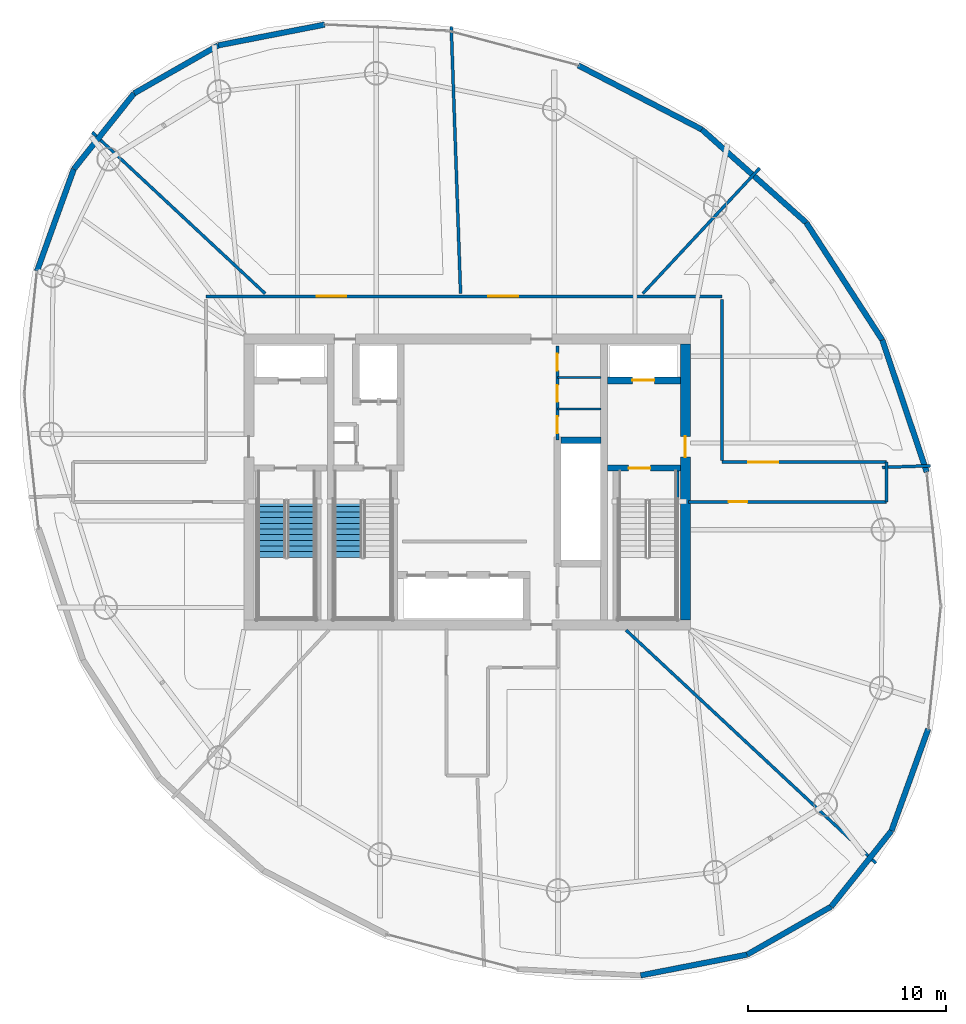
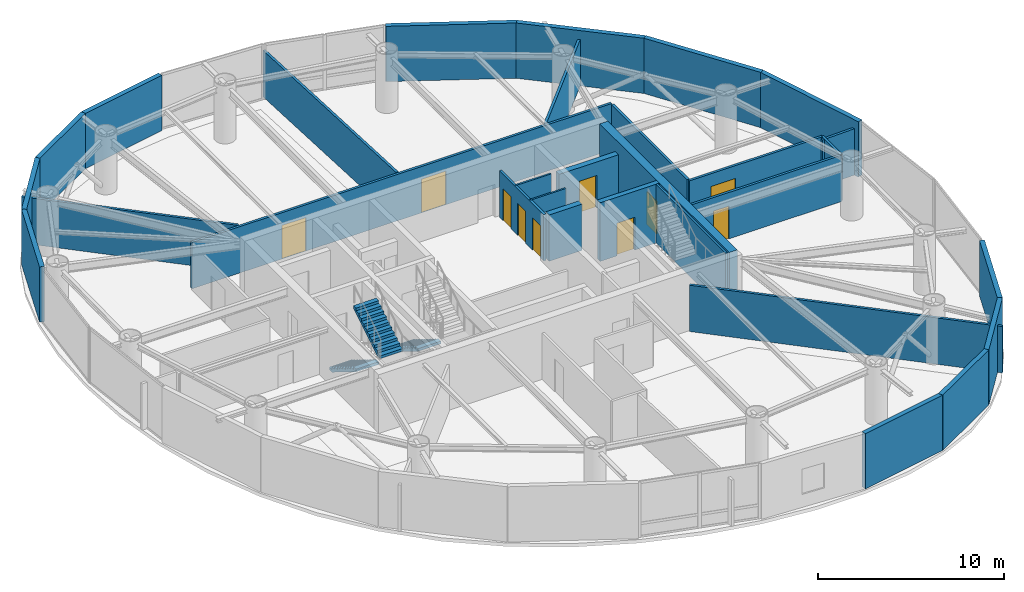
# One storey, part 16 of 20: 30 walls, 10 doors, 3 stair flights, 10 openings, 2 elements without a shape of their own.
"""IFC4 building model written with IfcOpenShell, lengths in metres."""

from ifc_helpers import new_model, si_unit, direction, frame, frame_2d, origin, place, context, subcontext, project, spatial, polyline, rectangle, outline, extrude, material, layer, layer_set, type_object, element, fill, aggregate, save


model = new_model("IFC4")

# Units and contexts
model_context = context("Model", 3, precision=1e-05, world=origin(), true_north=direction((0.0, 1.0)))
body_context = subcontext(model_context, "Body", "Model", "MODEL_VIEW")
ifc_project = project(units=[si_unit("LENGTHUNIT", "METRE"), si_unit("AREAUNIT", "SQUARE_METRE"), si_unit("VOLUMEUNIT", "CUBIC_METRE"), si_unit("PLANEANGLEUNIT", "RADIAN"), si_unit("MASSUNIT", "GRAM", prefix="KILO")], contexts=[model_context])

# Site, building, storey
site_placement = place(None, origin())
site = spatial("IfcSite", under=ifc_project, at=site_placement, CompositionType="ELEMENT")
building_placement = place(site_placement, origin())
building = spatial("IfcBuilding", under=site, at=building_placement, Name="Bramvorn Convention Spire", CompositionType="ELEMENT")
storey_placement = place(building_placement, frame((0.0, 0.0, 228.949951171875)))
storey = spatial("IfcBuildingStorey", under=building, at=storey_placement, Name="L58", CompositionType="ELEMENT", Elevation=228.949951171875)

# Wall, opening, door
ifc_material_1 = material(Name="Concrete C50/60", Category="concrete")
ifc_layer_1 = layer(ifc_material_1, 0.5)
ifc_layer_set_1 = layer_set([ifc_layer_1], Name="Concrete C50/60 - WL-CORE-500")
wall_type_1 = type_object("IfcWallType", Name="WL-CORE-500", PredefinedType="SHEAR", material=ifc_layer_set_1)
wall_1_placement = place(storey_placement, frame((49.0, 19.050048828125, 0.0), z_axis=(0.0, 0.0, 1.0), x_axis=(0.0, 1.0, 0.0)))
wall_1 = element("IfcWall", 1, at=wall_1_placement, inside=storey, type_object=wall_type_1, Name="L58 East RC core shear wall", PredefinedType="SHEAR", context=body_context, shape_type="SweptSolid", body=[
    extrude(rectangle(XDim=13.89990234375, YDim=0.5, at=frame_2d((6.949951171875, 0.0))), origin(), (0.0, 0.0, 1.0), 3.85009765625),
])
opening_1_placement = place(wall_1_placement, frame((8.199951171875, 0.0, 0.0)))
opening_1 = element("IfcOpeningElement", 2, at=opening_1_placement, cuts=wall_1, Name="Opening DL-105", PredefinedType="OPENING", context=body_context, shape_type="SweptSolid", body=[
    extrude(rectangle(XDim=1.050048828125, YDim=2.14990234375, at=frame_2d((0.52490234375, 1.074951171875))), frame((0.0, 0.260009765625, 0.0), z_axis=(0.0, -1.0, 0.0), x_axis=(1.0, 0.0, 0.0)), (0.0, 0.0, 1.0), 0.52001953125),
])
ifc_material_2 = material(Name="Smoke-Sealed Fire Lobby Timber-Core Door", Category="wood")
door_type_1 = type_object("IfcDoorType", Name="DR-LOBBY-1050", OperationType="NOTDEFINED", PredefinedType="DOOR", material=ifc_material_2)
door_1_placement = place(opening_1_placement, origin())
door_1 = element("IfcDoor", 3, at=door_1_placement, inside=storey, type_object=door_type_1, Name="L58 East Firefighting Lobby corridor door", OperationType="SINGLE_SWING_LEFT", OverallHeight=2.14990234375, OverallWidth=1.050048828125, PredefinedType="DOOR", context=body_context, shape_type="SweptSolid", body=[
    extrude(rectangle(XDim=1.050048828125, YDim=2.14990234375, at=frame_2d((0.52490234375, 1.074951171875))), frame((0.0, 0.02490234375, 0.0), z_axis=(0.0, -1.0, 0.0), x_axis=(1.0, 0.0, 0.0)), (0.0, 0.0, 1.0), 0.050048828125),
])
fill(opening_1, door_1)

ifc_layer_2 = layer(ifc_material_1, 0.35009765625)
ifc_layer_set_2 = layer_set([ifc_layer_2], Name="Concrete C50/60 - WL-CORE-INT-350")
wall_type_2 = type_object("IfcWallType", Name="WL-CORE-INT-350", PredefinedType="SHEAR", material=ifc_layer_set_2)
wall_2_placement = place(storey_placement, frame((45.080078125, 31.1201171875, 0.0), z_axis=(0.0, 0.0, 1.0), x_axis=(1.0, 0.0, 0.0)))
wall_2 = element("IfcWall", 4, at=wall_2_placement, inside=storey, type_object=wall_type_2, Name="L58 FE2 shaft front wall", PredefinedType="SHEAR", context=body_context, shape_type="SweptSolid", body=[
    extrude(rectangle(XDim=3.669921875, YDim=0.35009765625, at=frame_2d((1.8349609375, 0.0))), origin(), (0.0, 0.0, 1.0), 3.03515625),
])
opening_2_placement = place(wall_2_placement, frame((1.25, 0.0, 0.0)))
opening_2 = element("IfcOpeningElement", 5, at=opening_2_placement, cuts=wall_2, Name="Opening LD-110", PredefinedType="OPENING", context=body_context, shape_type="SweptSolid", body=[
    extrude(rectangle(XDim=1.10009765625, YDim=2.14990234375, at=frame_2d((0.550048828125, 1.074951171875))), frame((0.0, 0.18505859375, 0.0), z_axis=(0.0, -1.0, 0.0), x_axis=(1.0, 0.0, 0.0)), (0.0, 0.0, 1.0), 0.3701171875),
])
ifc_material_3 = material(Name="Firefighting & Service Lift Sliding Landing Door", Category="steel")
door_type_2 = type_object("IfcDoorType", Name="DR-LIFT-LD-1100", OperationType="NOTDEFINED", PredefinedType="DOOR", material=ifc_material_3)
door_2_placement = place(opening_2_placement, origin())
door_2 = element("IfcDoor", 6, at=door_2_placement, inside=storey, type_object=door_type_2, Name="L58 Lift FE2 Sliding Landing Door", OperationType="SLIDING_TO_LEFT", OverallHeight=2.14990234375, OverallWidth=1.10009765625, PredefinedType="DOOR", context=body_context, shape_type="SweptSolid", body=[
    extrude(rectangle(XDim=1.10009765625, YDim=2.14990234375, at=frame_2d((0.550048828125, 1.074951171875))), frame((0.0, 0.02490234375, 0.0), z_axis=(0.0, -1.0, 0.0), x_axis=(1.0, 0.0, 0.0)), (0.0, 0.0, 1.0), 0.050048828125),
])
fill(opening_2, door_2)

# Walls
wall_3_placement = place(storey_placement, frame((42.719970703125, 28.10009765625, 0.0), z_axis=(0.0, 0.0, 1.0), x_axis=(1.0, 0.0, 0.0)))
element("IfcWall", 7, at=wall_3_placement, inside=storey, type_object=wall_type_2, Name="L58 High-rise lift bank north wall", PredefinedType="SHEAR", context=body_context, shape_type="SweptSolid", body=[
    extrude(rectangle(XDim=2.030029296875, YDim=0.35009765625, at=frame_2d((1.01513671875, 0.0))), origin(), (0.0, 0.0, 1.0), 3.03515625),
])
ifc_material_4 = material(Name="Precast Concrete C40/50 with Bronze Terracotta Rainscreen", Category="masonry")
ifc_layer_3 = layer(ifc_material_4, 0.300048828125)
ifc_layer_set_3 = layer_set([ifc_layer_3], Name="Precast Concrete C40/50 with Bronze Terracotta Rainscreen - WL-EXT-BRONZE-300")
wall_type_3 = type_object("IfcWallType", Name="WL-EXT-BRONZE-300", PredefinedType="SOLIDWALL", material=ifc_layer_set_3)
wall_4_placement = place(storey_placement, frame((59.376708984375, 8.418212890625, 0.0), z_axis=(0.0, 0.0, 1.0), x_axis=(-0.622977845152, -0.782239480242, 0.0)))
element("IfcWall", 8, at=wall_4_placement, inside=storey, type_object=wall_type_3, Name="L58 expressed bronze Gothic lancet pier wall 01", PredefinedType="SOLIDWALL", context=body_context, shape_type="SweptSolid", body=[
    extrude(rectangle(XDim=4.876220703125, YDim=0.280029296875, at=frame_2d((2.43798828125, 0.0))), origin(), (0.0, 0.0, 1.0), 3.6201171875),
])
wall_5_placement = place(storey_placement, frame((61.231689453125, 13.55810546875, 0.0), z_axis=(0.0, 0.0, 1.0), x_axis=(-0.339467695369, -0.940617713952, 0.0)))
element("IfcWall", 9, at=wall_5_placement, inside=storey, type_object=wall_type_3, Name="L58 expressed bronze Gothic lancet pier wall 02", PredefinedType="SOLIDWALL", context=body_context, shape_type="SweptSolid", body=[
    extrude(rectangle(XDim=5.46435546875, YDim=0.280029296875, at=frame_2d((2.732177734375, 0.0))), origin(), (0.0, 0.0, 1.0), 3.6201171875),
])
wall_6_placement = place(storey_placement, frame((58.915283203125, 33.1494140625, 0.0), z_axis=(0.0, 0.0, 1.0), x_axis=(0.319117243221, -0.947715244722, 0.0)))
element("IfcWall", 10, at=wall_6_placement, inside=storey, type_object=wall_type_3, Name="L58 expressed bronze Gothic lancet pier wall 05", PredefinedType="SOLIDWALL", context=body_context, shape_type="SweptSolid", body=[
    extrude(rectangle(XDim=7.017822265625, YDim=0.280029296875, at=frame_2d((3.5087890625, 0.0))), origin(), (0.0, 0.0, 1.0), 3.6201171875),
])
wall_7_placement = place(storey_placement, frame((55.082763671875, 39.061279296875, 0.0), z_axis=(0.0, 0.0, 1.0), x_axis=(0.543970915448, -0.839104071702, 0.0)))
element("IfcWall", 11, at=wall_7_placement, inside=storey, type_object=wall_type_3, Name="L58 expressed bronze Gothic lancet pier wall 06", PredefinedType="SOLIDWALL", context=body_context, shape_type="SweptSolid", body=[
    extrude(rectangle(XDim=7.04541015625, YDim=0.280029296875, at=frame_2d((3.522705078125, 0.0))), origin(), (0.0, 0.0, 1.0), 3.6201171875),
])
wall_8_placement = place(storey_placement, frame((49.82666015625, 43.753173828125, 0.0), z_axis=(0.0, 0.0, 1.0), x_axis=(0.746012050709, -0.665932444169, 0.0)))
element("IfcWall", 12, at=wall_8_placement, inside=storey, type_object=wall_type_3, Name="L58 expressed bronze Gothic lancet pier wall 07", PredefinedType="SOLIDWALL", context=body_context, shape_type="SweptSolid", body=[
    extrude(rectangle(XDim=7.045654296875, YDim=0.280029296875, at=frame_2d((3.52294921875, 0.0))), origin(), (0.0, 0.0, 1.0), 3.6201171875),
])
wall_9_placement = place(storey_placement, frame((43.596923828125, 46.983642578125, 0.0), z_axis=(0.0, 0.0, 1.0), x_axis=(0.887740840653, -0.460343567172, 0.0)))
element("IfcWall", 13, at=wall_9_placement, inside=storey, type_object=wall_type_3, Name="L58 expressed bronze Gothic lancet pier wall 08", PredefinedType="SOLIDWALL", context=body_context, shape_type="SweptSolid", body=[
    extrude(rectangle(XDim=7.017578125, YDim=0.280029296875, at=frame_2d((3.5087890625, 0.0))), origin(), (0.0, 0.0, 1.0), 3.6201171875),
])
wall_10_placement = place(storey_placement, frame((25.457275390625, 47.992431640625, 0.0), z_axis=(0.0, 0.0, 1.0), x_axis=(0.981469079326, 0.19162057908, 0.0)))
element("IfcWall", 14, at=wall_10_placement, inside=storey, type_object=wall_type_3, Name="L58 expressed bronze Gothic lancet pier wall 11", PredefinedType="SOLIDWALL", context=body_context, shape_type="SweptSolid", body=[
    extrude(rectangle(XDim=5.464599609375, YDim=0.280029296875, at=frame_2d((2.732421875, 0.0))), origin(), (0.0, 0.0, 1.0), 3.6201171875),
])
wall_11_placement = place(storey_placement, frame((21.222900390625, 45.573974609375, 0.0), z_axis=(0.0, 0.0, 1.0), x_axis=(0.868347876631, 0.495955608044, 0.0)))
element("IfcWall", 15, at=wall_11_placement, inside=storey, type_object=wall_type_3, Name="L58 expressed bronze Gothic lancet pier wall 12", PredefinedType="SOLIDWALL", context=body_context, shape_type="SweptSolid", body=[
    extrude(rectangle(XDim=4.87646484375, YDim=0.280029296875, at=frame_2d((2.438232421875, 0.0))), origin(), (0.0, 0.0, 1.0), 3.6201171875),
])
wall_12_placement = place(storey_placement, frame((18.185302734375, 41.759521484375, 0.0), z_axis=(0.0, 0.0, 1.0), x_axis=(0.622947208078, 0.782263878718, 0.0)))
element("IfcWall", 16, at=wall_12_placement, inside=storey, type_object=wall_type_3, Name="L58 expressed bronze Gothic lancet pier wall 13", PredefinedType="SOLIDWALL", context=body_context, shape_type="SweptSolid", body=[
    extrude(rectangle(XDim=4.876220703125, YDim=0.280029296875, at=frame_2d((2.43798828125, 0.0))), origin(), (0.0, 0.0, 1.0), 3.6201171875),
])
wall_13_placement = place(storey_placement, frame((16.330078125, 36.61962890625, 0.0), z_axis=(0.0, 0.0, 1.0), x_axis=(0.339507224347, 0.940603447057, 0.0)))
element("IfcWall", 17, at=wall_13_placement, inside=storey, type_object=wall_type_3, Name="L58 expressed bronze Gothic lancet pier wall 14", PredefinedType="SOLIDWALL", context=body_context, shape_type="SweptSolid", body=[
    extrude(rectangle(XDim=5.46435546875, YDim=0.280029296875, at=frame_2d((2.732177734375, 0.0))), origin(), (0.0, 0.0, 1.0), 3.6201171875),
])
wall_14_placement = place(storey_placement, frame((52.1044921875, 2.185302734375, 0.0), z_axis=(0.0, 0.0, 1.0), x_axis=(-0.981469079326, -0.19162057908, 0.0)))
element("IfcWall", 18, at=wall_14_placement, inside=storey, type_object=wall_type_3, Name="L58 expressed bronze Gothic lancet pier wall 23", PredefinedType="SOLIDWALL", context=body_context, shape_type="SweptSolid", body=[
    extrude(rectangle(XDim=5.464599609375, YDim=0.280029296875, at=frame_2d((2.732421875, 0.0))), origin(), (0.0, 0.0, 1.0), 3.6201171875),
])
wall_15_placement = place(storey_placement, frame((56.3388671875, 4.603759765625, 0.0), z_axis=(0.0, 0.0, 1.0), x_axis=(-0.868347876631, -0.495955608044, 0.0)))
element("IfcWall", 19, at=wall_15_placement, inside=storey, type_object=wall_type_3, Name="L58 expressed bronze Gothic lancet pier wall 24", PredefinedType="SOLIDWALL", context=body_context, shape_type="SweptSolid", body=[
    extrude(rectangle(XDim=4.87646484375, YDim=0.280029296875, at=frame_2d((2.438232421875, 0.0))), origin(), (0.0, 0.0, 1.0), 3.6201171875),
])
ifc_material_5 = material(Name="Lightweight En-Suite & Wet-Wall Partition", Category="gypsum")
ifc_layer_4 = layer(ifc_material_5, 0.110107421875)
ifc_layer_set_4 = layer_set([ifc_layer_4], Name="Lightweight En-Suite & Wet-Wall Partition - WL-PART-110")
wall_type_4 = type_object("IfcWallType", Name="WL-PART-110", PredefinedType="PARTITIONING", material=ifc_layer_set_4)
for number, where, z_axis, x_axis, name in (
    (20, (42.550048828125, 29.679931640625, 0.0), (0.0, 0.0, 1.0), (1.0, 0.0, 0.0), "L58 KC NE div 1"),
    (21, (42.550048828125, 31.260009765625, 0.0), (0.0, 0.0, 1.0), (1.0, 0.0, 0.0), "L58 KC NE div 2"),
):
    element("IfcWall", number, at=place(storey_placement, frame(where, z_axis=z_axis, x_axis=x_axis)), inside=storey, type_object=wall_type_4, Name=name, PredefinedType="PARTITIONING", context=body_context, shape_type="SweptSolid", body=[
        extrude(rectangle(XDim=2.199951171875, YDim=0.110107421875, at=frame_2d((1.10009765625, 0.0))), origin(), (0.0, 0.0, 1.0), 3.03515625),
    ])

# Wall, openings, doors
ifc_material_6 = material(Name="Acoustic Metal-Stud Tenant/Corridor Partition", Category="gypsum")
ifc_layer_5 = layer(ifc_material_6, 0.14990234375)
ifc_layer_set_5 = layer_set([ifc_layer_5], Name="Acoustic Metal-Stud Tenant/Corridor Partition - WL-PART-150")
wall_type_5 = type_object("IfcWallType", Name="WL-PART-150", PredefinedType="PARTITIONING", material=ifc_layer_set_5)
wall_16_placement = place(storey_placement, frame((42.550048828125, 28.10009765625, 0.0), z_axis=(0.0, 0.0, 1.0), x_axis=(0.0, 1.0, 0.0)))
wall_16 = element("IfcWall", 22, at=wall_16_placement, inside=storey, type_object=wall_type_5, Name="L58 KC NE wall", PredefinedType="PARTITIONING", context=body_context, shape_type="SweptSolid", body=[
    extrude(rectangle(XDim=4.75, YDim=0.14990234375, at=frame_2d((2.375, 0.0))), origin(), (0.0, 0.0, 1.0), 3.03515625),
])
opening_3_placement = place(wall_16_placement, frame((0.35009765625, 0.0, 0.0)))
opening_3 = element("IfcOpeningElement", 23, at=opening_3_placement, cuts=wall_16, Name="Opening DC-085", PredefinedType="OPENING", context=body_context, shape_type="SweptSolid", body=[
    extrude(rectangle(XDim=0.85009765625, YDim=2.10009765625, at=frame_2d((0.425048828125, 1.050048828125))), frame((0.0, 0.0849609375, 0.0), z_axis=(0.0, -1.0, 0.0), x_axis=(1.0, 0.0, 0.0)), (0.0, 0.0, 1.0), 0.169921875),
])
opening_4_placement = place(wall_16_placement, frame((1.929931640625, 0.0, 0.0)))
opening_4 = element("IfcOpeningElement", 24, at=opening_4_placement, cuts=wall_16, Name="Opening DC-085", PredefinedType="OPENING", context=body_context, shape_type="SweptSolid", body=[
    extrude(rectangle(XDim=0.85009765625, YDim=2.10009765625, at=frame_2d((0.425048828125, 1.050048828125))), frame((0.0, 0.0849609375, 0.0), z_axis=(0.0, -1.0, 0.0), x_axis=(1.0, 0.0, 0.0)), (0.0, 0.0, 1.0), 0.169921875),
])
opening_5_placement = place(wall_16_placement, frame((3.510009765625, 0.0, 0.0)))
opening_5 = element("IfcOpeningElement", 25, at=opening_5_placement, cuts=wall_16, Name="Opening DC-085", PredefinedType="OPENING", context=body_context, shape_type="SweptSolid", body=[
    extrude(rectangle(XDim=0.85009765625, YDim=2.10009765625, at=frame_2d((0.425048828125, 1.050048828125))), frame((0.0, 0.0849609375, 0.0), z_axis=(0.0, -1.0, 0.0), x_axis=(1.0, 0.0, 0.0)), (0.0, 0.0, 1.0), 0.169921875),
])
ifc_material_7 = material(Name="Fire-Rated Core Washroom & IDF Door", Category="wood")
door_type_3 = type_object("IfcDoorType", Name="DR-CORE-850", OperationType="NOTDEFINED", PredefinedType="DOOR", material=ifc_material_7)
door_3_placement = place(opening_3_placement, origin())
door_3 = element("IfcDoor", 26, at=door_3_placement, inside=storey, type_object=door_type_3, Name="L58 Accessible Core Restroom door", OperationType="SINGLE_SWING_LEFT", OverallHeight=2.10009765625, OverallWidth=0.85009765625, PredefinedType="DOOR", context=body_context, shape_type="SweptSolid", body=[
    extrude(rectangle(XDim=0.85009765625, YDim=2.10009765625, at=frame_2d((0.425048828125, 1.050048828125))), frame((0.0, 0.02490234375, 0.0), z_axis=(0.0, -1.0, 0.0), x_axis=(1.0, 0.0, 0.0)), (0.0, 0.0, 1.0), 0.050048828125),
])
fill(opening_3, door_3)
door_4_placement = place(opening_4_placement, origin())
door_4 = element("IfcDoor", 27, at=door_4_placement, inside=storey, type_object=door_type_3, Name="L58 Tenant Pantry & Copy Centre door", OperationType="SINGLE_SWING_LEFT", OverallHeight=2.10009765625, OverallWidth=0.85009765625, PredefinedType="DOOR", context=body_context, shape_type="SweptSolid", body=[
    extrude(rectangle(XDim=0.85009765625, YDim=2.10009765625, at=frame_2d((0.425048828125, 1.050048828125))), frame((0.0, 0.02490234375, 0.0), z_axis=(0.0, -1.0, 0.0), x_axis=(1.0, 0.0, 0.0)), (0.0, 0.0, 1.0), 0.050048828125),
])
fill(opening_4, door_4)
door_5_placement = place(opening_5_placement, origin())
door_5 = element("IfcDoor", 28, at=door_5_placement, inside=storey, type_object=door_type_3, Name="L58 Core Comms Closet door", OperationType="SINGLE_SWING_LEFT", OverallHeight=2.10009765625, OverallWidth=0.85009765625, PredefinedType="DOOR", context=body_context, shape_type="SweptSolid", body=[
    extrude(rectangle(XDim=0.85009765625, YDim=2.10009765625, at=frame_2d((0.425048828125, 1.050048828125))), frame((0.0, 0.02490234375, 0.0), z_axis=(0.0, -1.0, 0.0), x_axis=(1.0, 0.0, 0.0)), (0.0, 0.0, 1.0), 0.050048828125),
])
fill(opening_5, door_5)

wall_17_placement = place(storey_placement, frame((24.85009765625, 35.35009765625, 0.0), z_axis=(0.0, 0.0, 1.0), x_axis=(1.0, 0.0, 0.0)))
wall_17 = element("IfcWall", 29, at=wall_17_placement, inside=storey, type_object=wall_type_5, Name="L58 North gallery wall", PredefinedType="PARTITIONING", context=body_context, shape_type="SweptSolid", body=[
    extrude(rectangle(XDim=26.0, YDim=0.14990234375, at=frame_2d((13.0, 0.0))), origin(), (0.0, 0.0, 1.0), 3.03515625),
])
opening_6_placement = place(wall_17_placement, frame((14.218994140625, 0.0, 0.0)))
opening_6 = element("IfcOpeningElement", 30, at=opening_6_placement, cuts=wall_17, Name="Opening DC-150", PredefinedType="OPENING", context=body_context, shape_type="SweptSolid", body=[
    extrude(rectangle(XDim=1.5, YDim=2.199951171875, at=frame_2d((0.75, 1.10009765625))), frame((0.0, 0.0849609375, 0.0), z_axis=(0.0, -1.0, 0.0), x_axis=(1.0, 0.0, 0.0)), (0.0, 0.0, 1.0), 0.169921875),
])
opening_7_placement = place(wall_17_placement, frame((5.565673828125, 0.0, 0.0)))
opening_7 = element("IfcOpeningElement", 31, at=opening_7_placement, cuts=wall_17, Name="Opening DC-150", PredefinedType="OPENING", context=body_context, shape_type="SweptSolid", body=[
    extrude(rectangle(XDim=1.5, YDim=2.199951171875, at=frame_2d((0.75, 1.10009765625))), frame((0.0, 0.0849609375, 0.0), z_axis=(0.0, -1.0, 0.0), x_axis=(1.0, 0.0, 0.0)), (0.0, 0.0, 1.0), 0.169921875),
])
ifc_material_8 = material(Name="Double-Leaf Smoke-Control Corridor Door", Category="wood")
door_type_4 = type_object("IfcDoorType", Name="DR-COR-1500", OperationType="NOTDEFINED", PredefinedType="DOOR", material=ifc_material_8)
door_6_placement = place(opening_6_placement, origin())
door_6 = element("IfcDoor", 32, at=door_6_placement, inside=storey, type_object=door_type_4, Name="L58 Equities Office Desk East 2 door", OperationType="DOUBLE_DOOR_SINGLE_SWING", OverallHeight=2.199951171875, OverallWidth=1.5, PredefinedType="DOOR", context=body_context, shape_type="SweptSolid", body=[
    extrude(rectangle(XDim=1.5, YDim=2.199951171875, at=frame_2d((0.75, 1.10009765625))), frame((0.0, 0.02490234375, 0.0), z_axis=(0.0, -1.0, 0.0), x_axis=(1.0, 0.0, 0.0)), (0.0, 0.0, 1.0), 0.050048828125),
])
fill(opening_6, door_6)
door_7_placement = place(opening_7_placement, origin())
door_7 = element("IfcDoor", 33, at=door_7_placement, inside=storey, type_object=door_type_4, Name="L58 Trader Dining Cafe 1 3 door", OperationType="DOUBLE_DOOR_SINGLE_SWING", OverallHeight=2.199951171875, OverallWidth=1.5, PredefinedType="DOOR", context=body_context, shape_type="SweptSolid", body=[
    extrude(rectangle(XDim=1.5, YDim=2.199951171875, at=frame_2d((0.75, 1.10009765625))), frame((0.0, 0.02490234375, 0.0), z_axis=(0.0, -1.0, 0.0), x_axis=(1.0, 0.0, 0.0)), (0.0, 0.0, 1.0), 0.050048828125),
])
fill(opening_7, door_7)

# Wall
wall_18_placement = place(storey_placement, frame((50.85009765625, 27.080078125, 0.0), z_axis=(0.0, 0.0, 1.0), x_axis=(0.0, 1.0, 0.0)))
element("IfcWall", 34, at=wall_18_placement, inside=storey, type_object=wall_type_5, Name="L58 NE gallery cheek", PredefinedType="PARTITIONING", context=body_context, shape_type="SweptSolid", body=[
    extrude(rectangle(XDim=8.119873046875, YDim=0.14990234375, at=frame_2d((4.06005859375, 0.0))), origin(), (0.0, 0.0, 1.0), 3.03515625),
])

# Wall, opening, door
wall_19_placement = place(storey_placement, frame((50.85009765625, 27.0, 0.0), z_axis=(0.0, 0.0, 1.0), x_axis=(1.0, 0.0, 0.0)))
wall_19 = element("IfcWall", 35, at=wall_19_placement, inside=storey, type_object=wall_type_5, Name="L58 East wing spine north wall", PredefinedType="PARTITIONING", context=body_context, shape_type="SweptSolid", body=[
    extrude(rectangle(XDim=8.272705078125, YDim=0.14990234375, at=frame_2d((4.13623046875, 0.0))), origin(), (0.0, 0.0, 1.0), 3.03515625),
])
opening_8_placement = place(wall_19_placement, frame((1.318115234375, 0.0, 0.0)))
opening_8 = element("IfcOpeningElement", 36, at=opening_8_placement, cuts=wall_19, Name="Opening DC-150", PredefinedType="OPENING", context=body_context, shape_type="SweptSolid", body=[
    extrude(rectangle(XDim=1.5, YDim=2.199951171875, at=frame_2d((0.75, 1.10009765625))), frame((0.0, 0.0849609375, 0.0), z_axis=(0.0, -1.0, 0.0), x_axis=(1.0, 0.0, 0.0)), (0.0, 0.0, 1.0), 0.169921875),
])
door_8_placement = place(opening_8_placement, origin())
door_8 = element("IfcDoor", 37, at=door_8_placement, inside=storey, type_object=door_type_4, Name="L58 Quantitative Office Desk West 1 door", OperationType="DOUBLE_DOOR_SINGLE_SWING", OverallHeight=2.199951171875, OverallWidth=1.5, PredefinedType="DOOR", context=body_context, shape_type="SweptSolid", body=[
    extrude(rectangle(XDim=1.5, YDim=2.199951171875, at=frame_2d((0.75, 1.10009765625))), frame((0.0, 0.02490234375, 0.0), z_axis=(0.0, -1.0, 0.0), x_axis=(1.0, 0.0, 0.0)), (0.0, 0.0, 1.0), 0.050048828125),
])
fill(opening_8, door_8)

wall_20_placement = place(storey_placement, frame((49.14990234375, 25.0, 0.0), z_axis=(0.0, 0.0, 1.0), x_axis=(1.0, 0.0, 0.0)))
wall_20 = element("IfcWall", 38, at=wall_20_placement, inside=storey, type_object=wall_type_5, Name="L58 East wing spine south wall", PredefinedType="PARTITIONING", context=body_context, shape_type="SweptSolid", body=[
    extrude(rectangle(XDim=9.972900390625, YDim=0.14990234375, at=frame_2d((4.986328125, 0.0))), origin(), (0.0, 0.0, 1.0), 3.03515625),
])
opening_9_placement = place(wall_20_placement, frame((2.018310546875, 0.0, 0.0)))
opening_9 = element("IfcOpeningElement", 39, at=opening_9_placement, cuts=wall_20, Name="Opening DH-095", PredefinedType="OPENING", context=body_context, shape_type="SweptSolid", body=[
    extrude(rectangle(XDim=0.949951171875, YDim=2.14990234375, at=frame_2d((0.47509765625, 1.074951171875))), frame((0.0, 0.0849609375, 0.0), z_axis=(0.0, -1.0, 0.0), x_axis=(1.0, 0.0, 0.0)), (0.0, 0.0, 1.0), 0.169921875),
])
ifc_material_9 = material(Name="Solid-Core Acoustic Guestroom Entry Door", Category="wood")
door_type_5 = type_object("IfcDoorType", Name="DR-HOTEL-950", OperationType="NOTDEFINED", PredefinedType="DOOR", material=ifc_material_9)
door_9_placement = place(opening_9_placement, origin())
door_9 = element("IfcDoor", 40, at=door_9_placement, inside=storey, type_object=door_type_5, Name="L58 Tenant Briefing Room 8 door", OperationType="SINGLE_SWING_RIGHT", OverallHeight=2.14990234375, OverallWidth=0.949951171875, PredefinedType="DOOR", context=body_context, shape_type="SweptSolid", body=[
    extrude(rectangle(XDim=0.949951171875, YDim=2.14990234375, at=frame_2d((0.47509765625, 1.074951171875))), frame((0.0, 0.02490234375, 0.0), z_axis=(0.0, -1.0, 0.0), x_axis=(1.0, 0.0, 0.0)), (0.0, 0.0, 1.0), 0.050048828125),
])
fill(opening_9, door_9)

# Walls
wall_21_placement = place(storey_placement, frame((59.122802734375, 25.0, 0.0), z_axis=(0.0, 0.0, 1.0), x_axis=(0.0, 1.0, 0.0)))
element("IfcWall", 41, at=wall_21_placement, inside=storey, type_object=wall_type_5, Name="L58 East wing spine end wall", PredefinedType="PARTITIONING", context=body_context, shape_type="SweptSolid", body=[
    extrude(rectangle(XDim=2.0, YDim=0.14990234375, at=frame_2d((1.0, 0.0))), origin(), (0.0, 0.0, 1.0), 3.03515625),
])
wall_22_placement = place(storey_placement, frame((58.913818359375, 26.730224609375, 0.0), z_axis=(0.0, 0.0, 1.0), x_axis=(0.999388643171, 0.034961977939, 0.0)))
element("IfcWall", 42, at=wall_22_placement, inside=storey, type_object=wall_type_5, Name="L58 Tenant suite partition 1", PredefinedType="PARTITIONING", context=body_context, shape_type="SweptSolid", body=[
    extrude(rectangle(XDim=2.423095703125, YDim=0.14990234375, at=frame_2d((1.21142578125, 0.0))), origin(), (0.0, 0.0, 1.0), 3.03515625),
])
wall_23_placement = place(storey_placement, frame((46.849609375, 35.489990234375, 0.0), z_axis=(0.0, 0.0, 1.0), x_axis=(0.68200031128, 0.731351882075, 0.0)))
element("IfcWall", 43, at=wall_23_placement, inside=storey, type_object=wall_type_5, Name="L58 Tenant suite partition 2", PredefinedType="PARTITIONING", context=body_context, shape_type="SweptSolid", body=[
    extrude(rectangle(XDim=8.647216796875, YDim=0.14990234375, at=frame_2d((4.32373046875, 0.0))), origin(), (0.0, 0.0, 1.0), 3.03515625),
])
wall_24_placement = place(storey_placement, frame((37.668701171875, 35.489990234375, 0.0), z_axis=(0.0, 0.0, 1.0), x_axis=(-0.034915177635, 0.999390279306, 0.0)))
element("IfcWall", 44, at=wall_24_placement, inside=storey, type_object=wall_type_5, Name="L58 Tenant suite partition 3", PredefinedType="PARTITIONING", context=body_context, shape_type="SweptSolid", body=[
    extrude(rectangle(XDim=13.46044921875, YDim=0.14990234375, at=frame_2d((6.730224609375, 0.0))), origin(), (0.0, 0.0, 1.0), 3.03515625),
])
wall_25_placement = place(storey_placement, frame((27.8232421875, 35.489990234375, 0.0), z_axis=(0.0, 0.0, 1.0), x_axis=(-0.731350976041, 0.682001282875, 0.0)))
element("IfcWall", 45, at=wall_25_placement, inside=storey, type_object=wall_type_5, Name="L58 Tenant suite partition 4", PredefinedType="PARTITIONING", context=body_context, shape_type="SweptSolid", body=[
    extrude(rectangle(XDim=11.912841796875, YDim=0.14990234375, at=frame_2d((5.95654296875, 0.0))), origin(), (0.0, 0.0, 1.0), 3.03515625),
])
wall_26_placement = place(storey_placement, frame((46.010498046875, 18.530029296875, 0.0), z_axis=(0.0, 0.0, 1.0), x_axis=(0.731353262769, -0.681998830671, 0.0)))
element("IfcWall", 46, at=wall_26_placement, inside=storey, type_object=wall_type_5, Name="L58 Tenant suite partition 8", PredefinedType="PARTITIONING", context=body_context, shape_type="SweptSolid", body=[
    extrude(rectangle(XDim=17.21435546875, YDim=0.14990234375, at=frame_2d((8.607177734375, 0.0))), origin(), (0.0, 0.0, 1.0), 3.03515625),
])

# Wall, opening, door
ifc_layer_6 = layer(ifc_material_1, 0.300048828125)
ifc_layer_set_6 = layer_set([ifc_layer_6], Name="Concrete C50/60 - WL-POD-STAIR-300")
wall_type_6 = type_object("IfcWallType", Name="WL-POD-STAIR-300", PredefinedType="SHEAR", material=ifc_layer_set_6)
wall_27_placement = place(storey_placement, frame((45.080078125, 26.68994140625, 0.0), z_axis=(0.0, 0.0, 1.0), x_axis=(1.0, 0.0, 0.0)))
wall_27 = element("IfcWall", 47, at=wall_27_placement, inside=storey, type_object=wall_type_6, Name="L58 ST2 north fire wall", PredefinedType="SHEAR", context=body_context, shape_type="SweptSolid", body=[
    extrude(rectangle(XDim=3.669921875, YDim=0.300048828125, at=frame_2d((1.8349609375, 0.0))), origin(), (0.0, 0.0, 1.0), 3.85009765625),
])
opening_10_placement = place(wall_27_placement, frame((1.050048828125, 0.0, 0.0)))
opening_10 = element("IfcOpeningElement", 48, at=opening_10_placement, cuts=wall_27, Name="Opening DS-110", PredefinedType="OPENING", context=body_context, shape_type="SweptSolid", body=[
    extrude(rectangle(XDim=1.10009765625, YDim=2.14990234375, at=frame_2d((0.550048828125, 1.074951171875))), frame((0.0, 0.159912109375, 0.0), z_axis=(0.0, -1.0, 0.0), x_axis=(1.0, 0.0, 0.0)), (0.0, 0.0, 1.0), 0.320068359375),
])
ifc_material_10 = material(Name="Fire-Rated Hollow Steel Stairwell Door", Category="steel")
door_type_6 = type_object("IfcDoorType", Name="DR-STAIR-1100", OperationType="NOTDEFINED", PredefinedType="DOOR", material=ifc_material_10)
door_10_placement = place(opening_10_placement, origin())
door_10 = element("IfcDoor", 49, at=door_10_placement, inside=storey, type_object=door_type_6, Name="L58 Stair ST2 fire door", OperationType="SINGLE_SWING_RIGHT", OverallHeight=2.14990234375, OverallWidth=1.10009765625, PredefinedType="DOOR", context=body_context, shape_type="SweptSolid", body=[
    extrude(rectangle(XDim=1.10009765625, YDim=2.14990234375, at=frame_2d((0.550048828125, 1.074951171875))), frame((0.0, 0.02490234375, 0.0), z_axis=(0.0, -1.0, 0.0), x_axis=(1.0, 0.0, 0.0)), (0.0, 0.0, 1.0), 0.050048828125),
])
fill(opening_10, door_10)

# Wall
ifc_layer_7 = layer(ifc_material_1, 0.1201171875)
ifc_layer_set_7 = layer_set([ifc_layer_7], Name="Concrete C50/60 - WL-STAIR-RC-120")
wall_type_7 = type_object("IfcWallType", Name="WL-STAIR-RC-120", PredefinedType="SHEAR", material=ifc_layer_set_7)
wall_28_placement = place(storey_placement, frame((48.60498046875, 19.10009765625, 0.0), z_axis=(0.0, 0.0, 1.0), x_axis=(0.0, 1.0, 0.0)))
element("IfcWall", 50, at=wall_28_placement, inside=storey, type_object=wall_type_7, Name="L58 ST2 east bearing shear wall", PredefinedType="SHEAR", context=body_context, shape_type="SweptSolid", body=[
    extrude(rectangle(XDim=7.449951171875, YDim=0.1201171875, at=frame_2d((3.72509765625, 0.0))), origin(), (0.0, 0.0, 1.0), 3.85009765625),
])

# Stair, stair flights
ifc_material_11 = material(Name="Concrete C40/50 Precast Stair", Category="concrete")
stair_type = type_object("IfcStairType", Name="ST-TOWER-1550", PredefinedType="HALF_TURN_STAIR", material=ifc_material_11)
stair_1_placement = place(storey_placement, origin())
stair_1 = element("IfcStair", 51, at=stair_1_placement, inside=storey, type_object=stair_type, Name="L58 Protected Exit Stair ST1", PredefinedType="HALF_TURN_STAIR")
ifc_material_12 = material(Name="Concrete C40/50 Precast Stair Flight", Category="concrete")
stair_flight_type = type_object("IfcStairFlightType", Name="STF-TOWER-1550", PredefinedType="STRAIGHT", material=ifc_material_12)
stair_flight_1_placement = place(storey_placement, frame((28.155029296875, 25.050048828125, 0.0), z_axis=(0.0, 0.0, 1.0), x_axis=(0.0, -1.0, 0.0)))
stair_flight_1 = element("IfcStairFlight", 52, at=stair_flight_1_placement, type_object=stair_flight_type, Name="ST1 flight 1", NumberOfRisers=11, NumberOfTreads=10, PredefinedType="STRAIGHT", RiserHeight=0.175, TreadLength=0.285, context=body_context, shape_type="SweptSolid", body=[
    extrude(outline(polyline([(0.0, 0.0), (0.0, 0.175048828125), (0.284912109375, 0.175048828125), (0.284912109375, 0.35009765625), (0.570068359375, 0.35009765625), (0.570068359375, 0.52490234375), (0.85498046875, 0.52490234375), (0.85498046875, 0.699951171875), (1.139892578125, 0.699951171875), (1.139892578125, 0.875), (1.425048828125, 0.875), (1.425048828125, 1.050048828125), (1.7099609375, 1.050048828125), (1.7099609375, 1.22509765625), (1.9951171875, 1.22509765625), (1.9951171875, 1.39990234375), (2.280029296875, 1.39990234375), (2.280029296875, 1.574951171875), (2.56494140625, 1.574951171875), (2.56494140625, 1.75), (2.85009765625, 1.75), (2.85009765625, 1.925048828125), (2.85009765625, 1.573974609375), (0.286376953125, 0.0), (0.0, 0.0)])), frame((0.0, 0.705078125, 0.0), z_axis=(0.0, -1.0, 0.0), x_axis=(1.0, 0.0, 0.0)), (0.0, 0.0, 1.0), 1.409912109375),
])
stair_flight_2_placement = place(storey_placement, frame((29.64501953125, 22.199951171875, 1.925048828125), z_axis=(0.0, 0.0, 1.0), x_axis=(0.0, 1.0, 0.0)))
stair_flight_2 = element("IfcStairFlight", 53, at=stair_flight_2_placement, type_object=stair_flight_type, Name="ST1 flight 2", NumberOfRisers=11, NumberOfTreads=10, PredefinedType="STRAIGHT", RiserHeight=0.175, TreadLength=0.285, context=body_context, shape_type="SweptSolid", body=[
    extrude(outline(polyline([(0.0, 0.0), (0.0, 0.175048828125), (0.284912109375, 0.175048828125), (0.284912109375, 0.35009765625), (0.570068359375, 0.35009765625), (0.570068359375, 0.52490234375), (0.85498046875, 0.52490234375), (0.85498046875, 0.699951171875), (1.139892578125, 0.699951171875), (1.139892578125, 0.875), (1.425048828125, 0.875), (1.425048828125, 1.050048828125), (1.7099609375, 1.050048828125), (1.7099609375, 1.22509765625), (1.9951171875, 1.22509765625), (1.9951171875, 1.39990234375), (2.280029296875, 1.39990234375), (2.280029296875, 1.574951171875), (2.56494140625, 1.574951171875), (2.56494140625, 1.75), (2.85009765625, 1.75), (2.85009765625, 1.925048828125), (2.85009765625, 1.573974609375), (0.286376953125, 0.0), (0.0, 0.0)])), frame((0.0, 0.705078125, 0.0), z_axis=(0.0, -1.0, 0.0), x_axis=(1.0, 0.0, 0.0)), (0.0, 0.0, 1.0), 1.409912109375),
])
aggregate(stair_1, [stair_flight_1, stair_flight_2])

# Stair, stair flight
stair_2_placement = place(storey_placement, origin())
stair_2 = element("IfcStair", 54, at=stair_2_placement, inside=storey, type_object=stair_type, Name="L58 Protected Exit Stair ST3", PredefinedType="HALF_TURN_STAIR")
stair_flight_3_placement = place(storey_placement, frame((32.0048828125, 25.050048828125, 0.0), z_axis=(0.0, 0.0, 1.0), x_axis=(0.0, -1.0, 0.0)))
stair_flight_3 = element("IfcStairFlight", 55, at=stair_flight_3_placement, type_object=stair_flight_type, Name="ST3 flight 1", NumberOfRisers=11, NumberOfTreads=10, PredefinedType="STRAIGHT", RiserHeight=0.175, TreadLength=0.285, context=body_context, shape_type="SweptSolid", body=[
    extrude(outline(polyline([(0.0, 0.0), (0.0, 0.175048828125), (0.284912109375, 0.175048828125), (0.284912109375, 0.35009765625), (0.570068359375, 0.35009765625), (0.570068359375, 0.52490234375), (0.85498046875, 0.52490234375), (0.85498046875, 0.699951171875), (1.139892578125, 0.699951171875), (1.139892578125, 0.875), (1.425048828125, 0.875), (1.425048828125, 1.050048828125), (1.7099609375, 1.050048828125), (1.7099609375, 1.22509765625), (1.9951171875, 1.22509765625), (1.9951171875, 1.39990234375), (2.280029296875, 1.39990234375), (2.280029296875, 1.574951171875), (2.56494140625, 1.574951171875), (2.56494140625, 1.75), (2.85009765625, 1.75), (2.85009765625, 1.925048828125), (2.85009765625, 1.573974609375), (0.286376953125, 0.0), (0.0, 0.0)])), frame((0.0, 0.705078125, 0.0), z_axis=(0.0, -1.0, 0.0), x_axis=(1.0, 0.0, 0.0)), (0.0, 0.0, 1.0), 1.409912109375),
])
aggregate(stair_2, [stair_flight_3])

save(model, "model.ifc")
